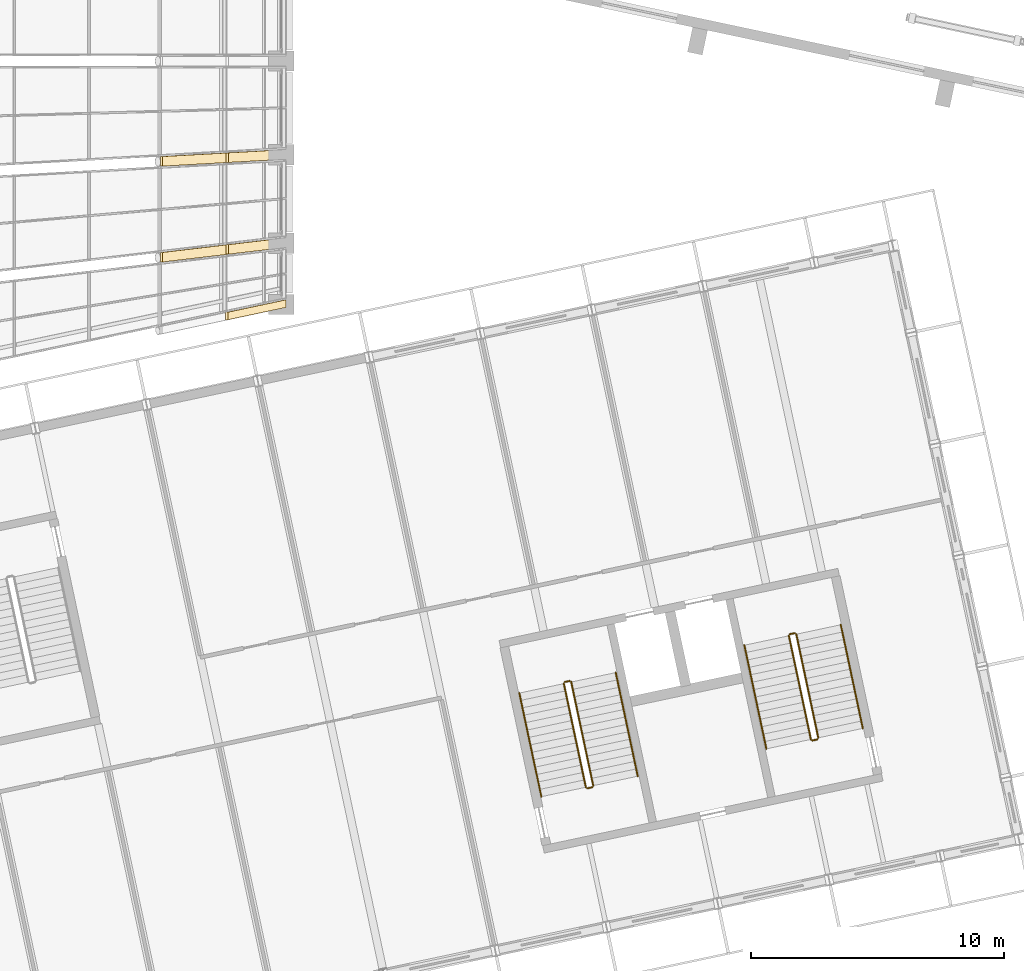
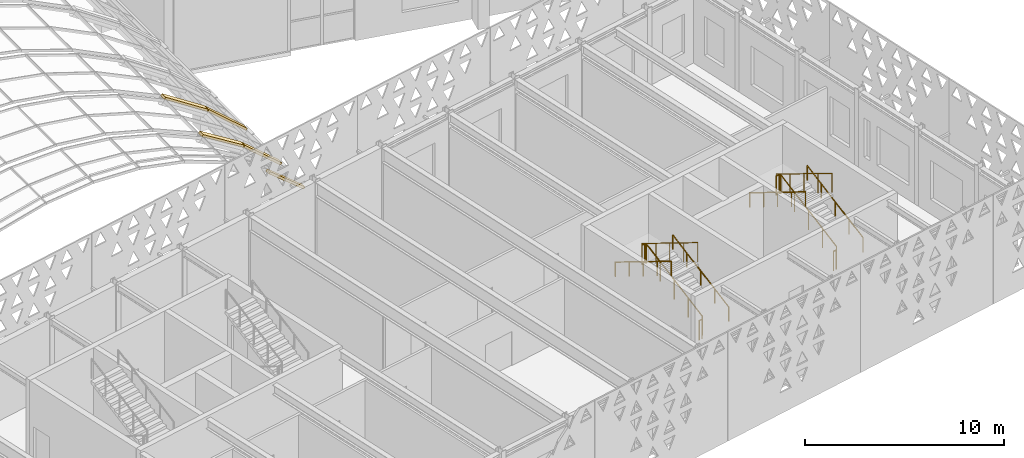
# One storey, part 177 of 182: 12 railings, 5 coverings.
"""IFC4 building model written with IfcOpenShell, lengths in metres."""

from ifc_helpers import new_model, si_unit, direction, frame, origin, origin_2d, place, context, subcontext, project, spatial, polyline, circle, outline, extrude, material, layer, layer_set, type_object, element, save


model = new_model("IFC4")

# Units and contexts
model_context = context("Model", 3, precision=1e-05, world=origin(), true_north=direction((0.0, 1.0)))
body_context = subcontext(model_context, "Body", "Model", "MODEL_VIEW")
ifc_project = project(units=[si_unit("LENGTHUNIT", "METRE"), si_unit("AREAUNIT", "SQUARE_METRE"), si_unit("VOLUMEUNIT", "CUBIC_METRE"), si_unit("PLANEANGLEUNIT", "RADIAN"), si_unit("MASSUNIT", "GRAM", prefix="KILO")], contexts=[model_context])

# Site, building, storey
site_placement = place(None, origin())
site = spatial("IfcSite", under=ifc_project, at=site_placement, CompositionType="ELEMENT")
building_placement = place(site_placement, origin())
building = spatial("IfcBuilding", under=site, at=building_placement, Name="Okhra Congress Centre", CompositionType="ELEMENT")
storey_placement = place(building_placement, frame((0.0, 0.0, 7.199951171875)))
storey = spatial("IfcBuildingStorey", under=building, at=storey_placement, Name="L01", CompositionType="ELEMENT", Elevation=7.199951171875)

# Coverings
ifc_material_1 = material(Name="Extruded aluminium capping, thermally broken", Category="aluminium")
ifc_layer = layer(ifc_material_1, 0.139892578125)
ifc_layer_set = layer_set([ifc_layer], Name="Aluminium rib capping 380")
covering_type = type_object("IfcCoveringType", Name="Aluminium rib capping 380", PredefinedType="CLADDING", material=ifc_layer_set)
covering_1_placement = place(storey_placement, frame((186.8857421875, 80.769775390625, 4.07861328125), z_axis=(0.663646042111, 0.0, 0.74804674372), x_axis=(0.738768519316, 0.157011768288, -0.655414662246)))
element("IfcCovering", 1, at=covering_1_placement, inside=storey, type_object=covering_type, Name="Rib capping 1.12", PredefinedType="CLADDING", context=body_context, shape_type="SweptSolid", body=[
    extrude(outline(polyline([(0.0, 0.0), (3.1222779053134304, -2.7755575615628914e-17), (3.1693891023900966, 0.29632724203014027), (0.04707286412542408, 0.2960861295467959), (0.0, 0.0)])), origin(), (0.0, 0.0, -1.0), 0.139892578125),
])
covering_2_placement = place(storey_placement, frame((184.303466796875, 83.0537109375, 5.876220703125), z_axis=(0.559487786357, 0.0, 0.828838595215), x_axis=(0.824874027817, 0.097691765286, -0.556811599401)))
element("IfcCovering", 2, at=covering_2_placement, inside=storey, type_object=covering_type, Name="Rib capping 2.11", PredefinedType="CLADDING", context=body_context, shape_type="SweptSolid", body=[
    extrude(outline(polyline([(0.0, 0.0), (3.103871194913728, 2.7755575615628914e-17), (3.140982617468482, 0.378065726493255), (0.0371114225547534, 0.37806572649325504), (0.0, 0.0)])), origin(), (0.0, 0.0, -1.0), 0.139892578125),
])
covering_3_placement = place(storey_placement, frame((186.9111328125, 83.362548828125, 4.111328125), z_axis=(0.663725875965, 0.0, 0.747975909756), x_axis=(0.745057494853, 0.088251210031, -0.66113618362)))
element("IfcCovering", 3, at=covering_3_placement, inside=storey, type_object=covering_type, Name="Rib capping 2.12", PredefinedType="CLADDING", context=body_context, shape_type="SweptSolid", body=[
    extrude(outline(polyline([(0.0, 0.0), (3.101165871038366, 2.7755575615628914e-17), (3.1347125346169245, 0.37864379283812766), (0.03352511787298495, 0.3784006047887775), (0.0, 0.0)])), origin(), (0.0, 0.0, -1.0), 0.139892578125),
])
covering_4_placement = place(storey_placement, frame((184.303466796875, 86.845703125, 5.876220703125), z_axis=(0.559487786357, 0.0, 0.828838595215), x_axis=(0.827938944677, 0.046579953977, -0.558880498653)))
element("IfcCovering", 4, at=covering_4_placement, inside=storey, type_object=covering_type, Name="Rib capping 3.11", PredefinedType="CLADDING", context=body_context, shape_type="SweptSolid", body=[
    extrude(outline(polyline([(0.0, 0.0), (3.092381087802437, 0.0), (3.110087383784517, 0.3797143499720428), (0.017706295982080202, 0.37971434997204273), (0.0, 0.0)])), origin(), (0.0, 0.0, -1.0), 0.139892578125),
])
covering_5_placement = place(storey_placement, frame((186.9111328125, 86.992431640625, 4.111328125), z_axis=(0.663725875965, 0.0, 0.747975909756), x_axis=(0.747313143691, 0.042087690785, -0.663137762121)))
element("IfcCovering", 5, at=covering_5_placement, inside=storey, type_object=covering_type, Name="Rib capping 3.12", PredefinedType="CLADDING", context=body_context, shape_type="SweptSolid", body=[
    extrude(outline(polyline([(0.0, 0.0), (3.091805482757211, -6.938893903907228e-18), (3.1077938731041668, 0.37954620615548706), (0.01599866566208889, 0.3797901304525022), (0.0, 0.0)])), origin(), (0.0, 0.0, -1.0), 0.139892578125),
])

# Railings
ifc_material_2 = material(Name="Painted steel tube handrail on wall brackets", Category="steel")
railing_type_1 = type_object("IfcRailingType", Name="Steel handrail 900", PredefinedType="HANDRAIL", material=ifc_material_2)
railing_1_placement = place(storey_placement, frame((203.1015625, 62.711181640625, 0.16015625)))
element("IfcRailing", 6, at=railing_1_placement, inside=storey, type_object=railing_type_1, Name="L01 BS5A stair handrail 1", PredefinedType="HANDRAIL", context=body_context, shape_type="SweptSolid", body=[
    extrude(circle(Radius=0.02392578125, at=origin_2d()), frame((0.0, 0.0, 0.8759765625), z_axis=(-0.183466421502, 0.863066668889, 0.4705911147), x_axis=(-0.978143927149, -0.207928972925, 0.0)), (0.0, 0.0, 1.0), 4.760009765625),
    extrude(circle(Radius=0.02099609375, at=origin_2d()), origin(), (0.0, 0.0, 1.0), 0.851806640625),
    extrude(circle(Radius=0.02099609375, at=origin_2d()), frame((-0.21826171875, 1.027099609375, 0.56005859375)), (0.0, 0.0, 1.0), 0.851806640625),
    extrude(circle(Radius=0.02099609375, at=origin_2d()), frame((-0.4365234375, 2.05419921875, 1.1201171875)), (0.0, 0.0, 1.0), 0.851806640625),
    extrude(circle(Radius=0.02099609375, at=origin_2d()), frame((-0.655029296875, 3.0810546875, 1.679931640625)), (0.0, 0.0, 1.0), 0.851806640625),
    extrude(circle(Radius=0.02099609375, at=origin_2d()), frame((-0.873291015625, 4.108154296875, 2.239990234375)), (0.0, 0.0, 1.0), 0.851806640625),
])
railing_2_placement = place(storey_placement, frame((198.41357421875, 66.008544921875, 2.56005859375)))
element("IfcRailing", 7, at=railing_2_placement, inside=storey, type_object=railing_type_1, Name="L01 BS5A stair handrail 2", PredefinedType="HANDRAIL", context=body_context, shape_type="SweptSolid", body=[
    extrude(circle(Radius=0.02392578125, at=origin_2d()), frame((0.0, 0.0, 0.8759765625), z_axis=(0.183458300256, -0.863079753065, 0.470570283716), x_axis=(0.978146440129, 0.207917150959, 0.0)), (0.0, 0.0, 1.0), 4.76025390625),
    extrude(circle(Radius=0.02099609375, at=origin_2d()), origin(), (0.0, 0.0, 1.0), 0.851806640625),
    extrude(circle(Radius=0.02099609375, at=origin_2d()), frame((0.21826171875, -1.027099609375, 0.56005859375)), (0.0, 0.0, 1.0), 0.851806640625),
    extrude(circle(Radius=0.02099609375, at=origin_2d()), frame((0.4365234375, -2.05419921875, 1.1201171875)), (0.0, 0.0, 1.0), 0.851806640625),
    extrude(circle(Radius=0.02099609375, at=origin_2d()), frame((0.655029296875, -3.081298828125, 1.679931640625)), (0.0, 0.0, 1.0), 0.851806640625),
    extrude(circle(Radius=0.02099609375, at=origin_2d()), frame((0.873291015625, -4.1083984375, 2.239990234375)), (0.0, 0.0, 1.0), 0.851806640625),
])
railing_3_placement = place(storey_placement, frame((212.002685546875, 64.60302734375, 0.16015625)))
element("IfcRailing", 8, at=railing_3_placement, inside=storey, type_object=railing_type_1, Name="L01 BS5B stair handrail 1", PredefinedType="HANDRAIL", context=body_context, shape_type="SweptSolid", body=[
    extrude(circle(Radius=0.02392578125, at=origin_2d()), frame((0.0, 0.0, 0.8759765625), z_axis=(-0.183466421502, 0.863066668889, 0.4705911147), x_axis=(-0.978143927149, -0.207928972925, 0.0)), (0.0, 0.0, 1.0), 4.760009765625),
    extrude(circle(Radius=0.02099609375, at=origin_2d()), origin(), (0.0, 0.0, 1.0), 0.851806640625),
    extrude(circle(Radius=0.02099609375, at=origin_2d()), frame((-0.21826171875, 1.027099609375, 0.56005859375)), (0.0, 0.0, 1.0), 0.851806640625),
    extrude(circle(Radius=0.02099609375, at=origin_2d()), frame((-0.4365234375, 2.05419921875, 1.1201171875)), (0.0, 0.0, 1.0), 0.851806640625),
    extrude(circle(Radius=0.02099609375, at=origin_2d()), frame((-0.655029296875, 3.0810546875, 1.679931640625)), (0.0, 0.0, 1.0), 0.851806640625),
    extrude(circle(Radius=0.02099609375, at=origin_2d()), frame((-0.873291015625, 4.108154296875, 2.239990234375)), (0.0, 0.0, 1.0), 0.851806640625),
])
railing_4_placement = place(storey_placement, frame((207.314697265625, 67.900390625, 2.56005859375)))
element("IfcRailing", 9, at=railing_4_placement, inside=storey, type_object=railing_type_1, Name="L01 BS5B stair handrail 2", PredefinedType="HANDRAIL", context=body_context, shape_type="SweptSolid", body=[
    extrude(circle(Radius=0.02392578125, at=origin_2d()), frame((0.0, 0.0, 0.8759765625), z_axis=(0.183466421502, -0.863066668889, 0.4705911147), x_axis=(0.978143927149, 0.207928972925, 0.0)), (0.0, 0.0, 1.0), 4.760009765625),
    extrude(circle(Radius=0.02099609375, at=origin_2d()), origin(), (0.0, 0.0, 1.0), 0.851806640625),
    extrude(circle(Radius=0.02099609375, at=origin_2d()), frame((0.21826171875, -1.027099609375, 0.56005859375)), (0.0, 0.0, 1.0), 0.851806640625),
    extrude(circle(Radius=0.02099609375, at=origin_2d()), frame((0.4365234375, -2.05419921875, 1.1201171875)), (0.0, 0.0, 1.0), 0.851806640625),
    extrude(circle(Radius=0.02099609375, at=origin_2d()), frame((0.655029296875, -3.0810546875, 1.679931640625)), (0.0, 0.0, 1.0), 0.851806640625),
    extrude(circle(Radius=0.02099609375, at=origin_2d()), frame((0.873291015625, -4.108154296875, 2.239990234375)), (0.0, 0.0, 1.0), 0.851806640625),
])
ifc_material_3 = material(Name="Painted steel tube guard with vertical steel balusters", Category="steel")
railing_type_2 = type_object("IfcRailingType", Name="Steel stair guard 1200", PredefinedType="GUARDRAIL", material=ifc_material_3)
railing_5_placement = place(storey_placement, frame((201.3408203125, 62.3369140625, 0.16015625)))
element("IfcRailing", 10, at=railing_5_placement, inside=storey, type_object=railing_type_2, Name="L01 BS5A stair guard 1", PredefinedType="GUARDRAIL", context=body_context, shape_type="SweptSolid", body=[
    extrude(circle(Radius=0.02392578125, at=origin_2d()), frame((0.0, 0.0, 1.17578125), z_axis=(-0.183416856655, 0.863074789412, 0.470595542453), x_axis=(-0.978155748334, -0.207873355681, 0.0)), (0.0, 0.0, 1.0), 4.760009765625),
    extrude(circle(Radius=0.02099609375, at=origin_2d()), origin(), (0.0, 0.0, 1.0), 1.15185546875),
    extrude(circle(Radius=0.02099609375, at=origin_2d()), frame((-0.21826171875, 1.027099609375, 0.56005859375)), (0.0, 0.0, 1.0), 1.15185546875),
    extrude(circle(Radius=0.02099609375, at=origin_2d()), frame((-0.4365234375, 2.05419921875, 1.1201171875)), (0.0, 0.0, 1.0), 1.15185546875),
    extrude(circle(Radius=0.02099609375, at=origin_2d()), frame((-0.65478515625, 3.0810546875, 1.679931640625)), (0.0, 0.0, 1.0), 1.15185546875),
    extrude(circle(Radius=0.02099609375, at=origin_2d()), frame((-0.873046875, 4.108154296875, 2.239990234375)), (0.0, 0.0, 1.0), 1.15185546875),
])
railing_6_placement = place(storey_placement, frame((200.408447265625, 66.483642578125, 2.400146484375)))
element("IfcRailing", 11, at=railing_6_placement, inside=storey, type_object=railing_type_2, Name="L01 BS5A stair guard 2", PredefinedType="GUARDRAIL", context=body_context, shape_type="SweptSolid", body=[
    extrude(circle(Radius=0.02392578125, at=origin_2d()), frame((0.0, 0.0, 1.17578125), z_axis=(-0.977962931203, -0.208778603291, 0.0), x_axis=(0.208778603291, -0.977962931203, 0.0)), (0.0, 0.0, 1.0), 0.199951171875),
    extrude(circle(Radius=0.02099609375, at=origin_2d()), origin(), (0.0, 0.0, 1.0), 1.15185546875),
    extrude(circle(Radius=0.02099609375, at=origin_2d()), frame((-0.195556640625, -0.041748046875, 0.0)), (0.0, 0.0, 1.0), 1.15185546875),
])
railing_7_placement = place(storey_placement, frame((200.17431640625, 66.382568359375, 2.56005859375)))
element("IfcRailing", 12, at=railing_7_placement, inside=storey, type_object=railing_type_2, Name="L01 BS5A stair guard 3", PredefinedType="GUARDRAIL", context=body_context, shape_type="SweptSolid", body=[
    extrude(circle(Radius=0.02392578125, at=origin_2d()), frame((0.0, 0.0, 1.17578125), z_axis=(0.183466421502, -0.863066668889, 0.4705911147), x_axis=(0.978143927149, 0.207928972925, 0.0)), (0.0, 0.0, 1.0), 4.760009765625),
    extrude(circle(Radius=0.02099609375, at=origin_2d()), origin(), (0.0, 0.0, 1.0), 1.15185546875),
    extrude(circle(Radius=0.02099609375, at=origin_2d()), frame((0.21826171875, -1.027099609375, 0.56005859375)), (0.0, 0.0, 1.0), 1.15185546875),
    extrude(circle(Radius=0.02099609375, at=origin_2d()), frame((0.4365234375, -2.05419921875, 1.1201171875)), (0.0, 0.0, 1.0), 1.15185546875),
    extrude(circle(Radius=0.02099609375, at=origin_2d()), frame((0.655029296875, -3.0810546875, 1.679931640625)), (0.0, 0.0, 1.0), 1.15185546875),
    extrude(circle(Radius=0.02099609375, at=origin_2d()), frame((0.873291015625, -4.108154296875, 2.239990234375)), (0.0, 0.0, 1.0), 1.15185546875),
])
railing_8_placement = place(storey_placement, frame((201.302490234375, 62.277587890625, 0.0)))
element("IfcRailing", 13, at=railing_8_placement, inside=storey, type_object=railing_type_2, Name="L01 BS5A stair guard 4", PredefinedType="GUARDRAIL", context=body_context, shape_type="SweptSolid", body=[
    extrude(circle(Radius=0.02392578125, at=origin_2d()), frame((0.0, 0.0, 1.17578125), z_axis=(-0.978016054442, -0.208529607618, 0.0), x_axis=(0.208529607618, -0.978016054442, 0.0)), (0.0, 0.0, 1.0), 0.2001953125),
    extrude(circle(Radius=0.02099609375, at=origin_2d()), origin(), (0.0, 0.0, 1.0), 1.15185546875),
    extrude(circle(Radius=0.02099609375, at=origin_2d()), frame((-0.19580078125, -0.041748046875, 0.0)), (0.0, 0.0, 1.0), 1.15185546875),
])
railing_9_placement = place(storey_placement, frame((210.2421875, 64.228759765625, 0.16015625)))
element("IfcRailing", 14, at=railing_9_placement, inside=storey, type_object=railing_type_2, Name="L01 BS5B stair guard 1", PredefinedType="GUARDRAIL", context=body_context, shape_type="SweptSolid", body=[
    extrude(circle(Radius=0.02392578125, at=origin_2d()), frame((0.0, 0.0, 1.17578125), z_axis=(-0.183458300256, 0.863079753065, 0.470570283716), x_axis=(-0.978146440129, -0.207917150959, 0.0)), (0.0, 0.0, 1.0), 4.76025390625),
    extrude(circle(Radius=0.02099609375, at=origin_2d()), origin(), (0.0, 0.0, 1.0), 1.15185546875),
    extrude(circle(Radius=0.02099609375, at=origin_2d()), frame((-0.21826171875, 1.027099609375, 0.56005859375)), (0.0, 0.0, 1.0), 1.15185546875),
    extrude(circle(Radius=0.02099609375, at=origin_2d()), frame((-0.4365234375, 2.05419921875, 1.1201171875)), (0.0, 0.0, 1.0), 1.15185546875),
    extrude(circle(Radius=0.02099609375, at=origin_2d()), frame((-0.655029296875, 3.081298828125, 1.679931640625)), (0.0, 0.0, 1.0), 1.15185546875),
    extrude(circle(Radius=0.02099609375, at=origin_2d()), frame((-0.873291015625, 4.1083984375, 2.239990234375)), (0.0, 0.0, 1.0), 1.15185546875),
])
railing_10_placement = place(storey_placement, frame((209.3095703125, 68.37548828125, 2.400146484375)))
element("IfcRailing", 15, at=railing_10_placement, inside=storey, type_object=railing_type_2, Name="L01 BS5B stair guard 2", PredefinedType="GUARDRAIL", context=body_context, shape_type="SweptSolid", body=[
    extrude(circle(Radius=0.02392578125, at=origin_2d()), frame((0.0, 0.0, 1.17578125), z_axis=(-0.978211583308, -0.207610448392, 0.0), x_axis=(0.207610448392, -0.978211583308, 0.0)), (0.0, 0.0, 1.0), 0.199951171875),
    extrude(circle(Radius=0.02099609375, at=origin_2d()), origin(), (0.0, 0.0, 1.0), 1.15185546875),
    extrude(circle(Radius=0.02099609375, at=origin_2d()), frame((-0.195556640625, -0.04150390625, 0.0)), (0.0, 0.0, 1.0), 1.15185546875),
])
railing_11_placement = place(storey_placement, frame((209.075439453125, 68.274658203125, 2.56005859375)))
element("IfcRailing", 16, at=railing_11_placement, inside=storey, type_object=railing_type_2, Name="L01 BS5B stair guard 3", PredefinedType="GUARDRAIL", context=body_context, shape_type="SweptSolid", body=[
    extrude(circle(Radius=0.02392578125, at=origin_2d()), frame((0.0, 0.0, 1.17578125), z_axis=(0.183466421502, -0.863066668889, 0.4705911147), x_axis=(0.978143927149, 0.207928972925, 0.0)), (0.0, 0.0, 1.0), 4.760009765625),
    extrude(circle(Radius=0.02099609375, at=origin_2d()), origin(), (0.0, 0.0, 1.0), 1.15185546875),
    extrude(circle(Radius=0.02099609375, at=origin_2d()), frame((0.21826171875, -1.027099609375, 0.56005859375)), (0.0, 0.0, 1.0), 1.15185546875),
    extrude(circle(Radius=0.02099609375, at=origin_2d()), frame((0.4365234375, -2.05419921875, 1.1201171875)), (0.0, 0.0, 1.0), 1.15185546875),
    extrude(circle(Radius=0.02099609375, at=origin_2d()), frame((0.655029296875, -3.0810546875, 1.679931640625)), (0.0, 0.0, 1.0), 1.15185546875),
    extrude(circle(Radius=0.02099609375, at=origin_2d()), frame((0.873291015625, -4.108154296875, 2.239990234375)), (0.0, 0.0, 1.0), 1.15185546875),
])
railing_12_placement = place(storey_placement, frame((210.20361328125, 64.16943359375, 0.0)))
element("IfcRailing", 17, at=railing_12_placement, inside=storey, type_object=railing_type_2, Name="L01 BS5B stair guard 4", PredefinedType="GUARDRAIL", context=body_context, shape_type="SweptSolid", body=[
    extrude(circle(Radius=0.02392578125, at=origin_2d()), frame((0.0, 0.0, 1.17578125), z_axis=(-0.978211583308, -0.207610448392, 0.0), x_axis=(0.207610448392, -0.978211583308, 0.0)), (0.0, 0.0, 1.0), 0.199951171875),
    extrude(circle(Radius=0.02099609375, at=origin_2d()), origin(), (0.0, 0.0, 1.0), 1.15185546875),
    extrude(circle(Radius=0.02099609375, at=origin_2d()), frame((-0.195556640625, -0.04150390625, 0.0)), (0.0, 0.0, 1.0), 1.15185546875),
])

save(model, "model.ifc")
